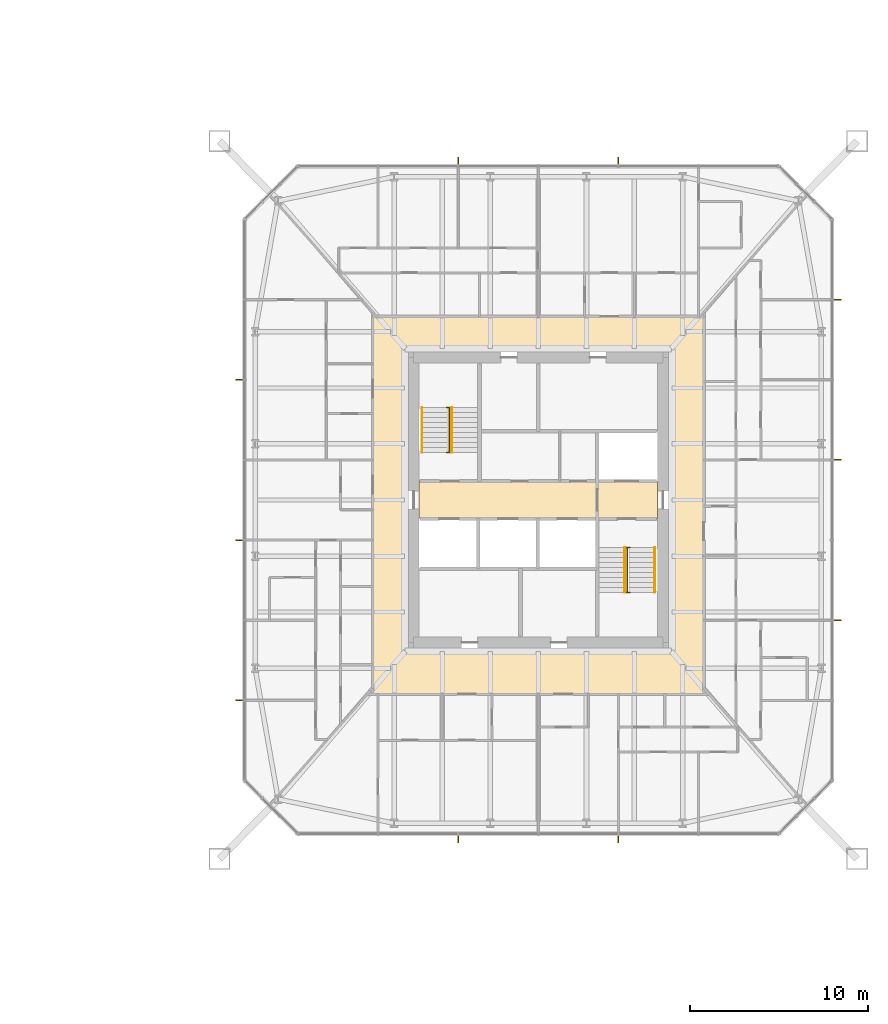
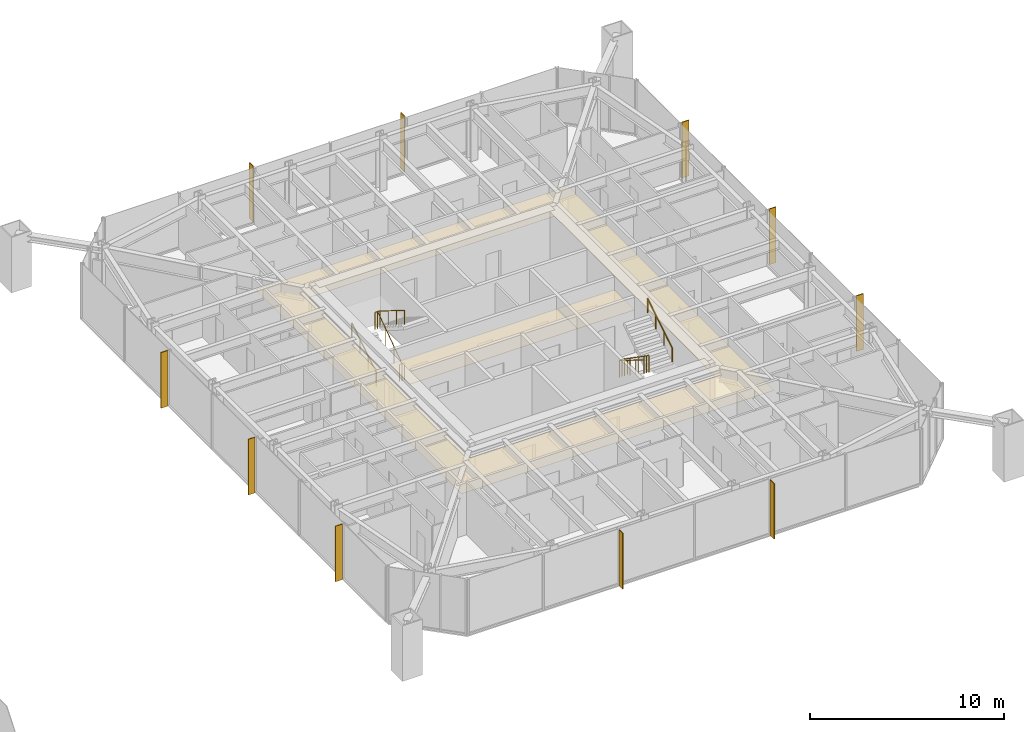
# One storey, part 26 of 26: 10 shading devices, 6 railings, 3 coverings.
"""IFC4 building model written with IfcOpenShell, lengths in metres."""

from ifc_helpers import new_model, si_unit, direction, frame, origin, origin_2d, place, context, subcontext, project, spatial, polyline, rectangle, circle, outline, extrude, material, layer, layer_set, constituent, constituent_set, type_object, element, save


model = new_model("IFC4")

# Units and contexts
model_context = context("Model", 3, precision=1e-05, world=origin(), true_north=direction((0.0, 1.0)))
body_context = subcontext(model_context, "Body", "Model", "MODEL_VIEW")
ifc_project = project(units=[si_unit("LENGTHUNIT", "METRE"), si_unit("AREAUNIT", "SQUARE_METRE"), si_unit("VOLUMEUNIT", "CUBIC_METRE"), si_unit("PLANEANGLEUNIT", "RADIAN"), si_unit("MASSUNIT", "GRAM", prefix="KILO")], contexts=[model_context])

# Site, building, storey
site_placement = place(None, origin())
site = spatial("IfcSite", under=ifc_project, at=site_placement, CompositionType="ELEMENT")
building_placement = place(site_placement, origin())
building = spatial("IfcBuilding", under=site, at=building_placement, Name="Iwan Alto Co-Living Towers", CompositionType="ELEMENT")
storey_placement = place(building_placement, frame((0.0, 0.0, 60.5)))
storey = spatial("IfcBuildingStorey", under=building, at=storey_placement, Name="L16", CompositionType="ELEMENT", Elevation=60.5)

# Coverings
ifc_material_1 = material(Name="Mineral fibre acoustic tiles on steel grid", Category="steel")
ifc_layer_1 = layer(ifc_material_1, 0.02001953125)
ifc_layer_set_1 = layer_set([ifc_layer_1], Name="ACOUSTIC TILE CEILING 20")
covering_type_1 = type_object("IfcCoveringType", Name="ACOUSTIC TILE CEILING 20", PredefinedType="CEILING", material=ifc_layer_set_1)
covering_1_placement = place(storey_placement, frame((0.0, 0.0, 2.60009765625)))
element("IfcCovering", 1, at=covering_1_placement, inside=storey, type_object=covering_type_1, Name="Ceiling Lift lobby L16", PredefinedType="CEILING", context=body_context, shape_type="SweptSolid", body=[
    extrude(outline(polyline([(56.300048828125, -1.050048828125), (56.300048828125, 1.050048828125), (66.300048828125, 1.050048828125), (66.300048828125, -1.050048828125), (56.300048828125, -1.050048828125)])), origin(), (0.0, 0.0, 1.0), 0.02001953125),
])
covering_2_placement = place(storey_placement, frame((0.0, 0.0, 2.60009765625)))
element("IfcCovering", 2, at=covering_2_placement, inside=storey, type_object=covering_type_1, Name="Ceiling Firefighting lobby L16", PredefinedType="CEILING", context=body_context, shape_type="SweptSolid", body=[
    extrude(outline(polyline([(66.300048828125, -1.050048828125), (66.300048828125, 1.050048828125), (69.699951171875, 1.050048828125), (69.699951171875, -1.050048828125), (66.300048828125, -1.050048828125)])), origin(), (0.0, 0.0, 1.0), 0.02001953125),
])

# Shading devices
ifc_material_2 = material(Name="Aluminium 6063-T6 bronze anodised", Category="aluminium")
ifc_layer_2 = layer(ifc_material_2, 0.050048828125)
ifc_layer_set_2 = layer_set([ifc_layer_2], Name="BRONZE FIN 50X400")
shading_device_type = type_object("IfcShadingDeviceType", Name="BRONZE FIN 50X400", PredefinedType="USERDEFINED", material=ifc_layer_set_2)
for number, where, z_axis, x_axis, name in (
    (3, (58.5, -19.050048828125, 0.0), (0.0, 0.0, 1.0), (1.0, 0.0, 0.0), "Bronze fin L16"),
    (4, (67.5, -19.050048828125, 0.0), (0.0, 0.0, 1.0), (1.0, 0.0, 0.0), "Bronze fin L16"),
    (5, (79.800048828125, -6.75, 0.0), (0.0, 0.0, 1.0), (0.0, 1.0, 0.0), "Bronze fin L16"),
    (6, (79.800048828125, 2.25, 0.0), (0.0, 0.0, 1.0), (0.0, 1.0, 0.0), "Bronze fin L16"),
    (7, (79.800048828125, 11.25, 0.0), (0.0, 0.0, 1.0), (0.0, 1.0, 0.0), "Bronze fin L16"),
    (8, (67.5, 19.050048828125, 0.0), (0.0, 0.0, 1.0), (-1.0, 0.0, 0.0), "Bronze fin L16"),
    (9, (58.5, 19.050048828125, 0.0), (0.0, 0.0, 1.0), (-1.0, 0.0, 0.0), "Bronze fin L16"),
    (10, (46.199951171875, 6.75, 0.0), (0.0, 0.0, 1.0), (0.0, -1.0, 0.0), "Bronze fin L16"),
    (11, (46.199951171875, -2.25, 0.0), (0.0, 0.0, 1.0), (0.0, -1.0, 0.0), "Bronze fin L16"),
    (12, (46.199951171875, -11.25, 0.0), (0.0, 0.0, 1.0), (0.0, -1.0, 0.0), "Bronze fin L16"),
):
    element("IfcShadingDevice", number, at=place(storey_placement, frame(where, z_axis=z_axis, x_axis=x_axis)), inside=storey, type_object=shading_device_type, Name=name, ObjectType="LOUVER", PredefinedType="USERDEFINED", context=body_context, shape_type="SweptSolid", body=[
        extrude(rectangle(XDim=0.050048828125, YDim=0.39990234375, at=origin_2d()), origin(), (0.0, 0.0, 1.0), 3.5),
    ])

# Railings
ifc_material_3 = material(Name="Steel ASTM A500 Gr C", Category="steel")
ifc_constituent_1 = constituent(ifc_material_3, Name="Rails and posts", Category="Framing")
ifc_material_4 = material(Name="Steel ASTM A36", Category="steel")
ifc_constituent_2 = constituent(ifc_material_4, Name="Bar infill", Category="Infill")
ifc_constituent_set = constituent_set(constituents=[ifc_constituent_1, ifc_constituent_2], Name="STAIR GUARD 1100")
railing_type_1 = type_object("IfcRailingType", Name="STAIR GUARD 1100", PredefinedType="GUARDRAIL", material=ifc_constituent_set)
railing_1_placement = place(storey_placement, frame((58.0, 2.669921875, 0.0)))
element("IfcRailing", 13, at=railing_1_placement, inside=storey, type_object=railing_type_1, Name="Stair T2-S1 well guard L16", PredefinedType="GUARDRAIL", context=body_context, shape_type="SweptSolid", body=[
    extrude(circle(Radius=0.02392578125, at=origin_2d()), frame((0.0, 0.0, 1.076171875), z_axis=(0.0, 0.821372036852, 0.570392826987), x_axis=(-1.0, 0.0, 0.0)), (0.0, 0.0, 1.0), 3.068115234375),
    extrude(circle(Radius=0.02392578125, at=origin_2d()), frame((-0.14990234375, 0.0, 1.076171875), z_axis=(1.0, 0.0, 0.0), x_axis=(0.0, 1.0, 0.0)), (0.0, 0.0, 1.0), 0.2998046875),
    extrude(circle(Radius=0.02392578125, at=origin_2d()), frame((-0.14990234375, 2.52001953125, 2.826171875), z_axis=(1.0, 0.0, 0.0), x_axis=(0.0, 1.0, 0.0)), (0.0, 0.0, 1.0), 0.2998046875),
    extrude(circle(Radius=0.02099609375, at=origin_2d()), origin(), (0.0, 0.0, 1.0), 1.052001953125),
    extrude(circle(Radius=0.02099609375, at=origin_2d()), frame((0.0, 0.840087890625, 0.583251953125)), (0.0, 0.0, 1.0), 1.052001953125),
    extrude(circle(Radius=0.02099609375, at=origin_2d()), frame((0.0, 1.679931640625, 1.166748046875)), (0.0, 0.0, 1.0), 1.052001953125),
    extrude(circle(Radius=0.02099609375, at=origin_2d()), frame((0.0, 2.52001953125, 1.75)), (0.0, 0.0, 1.0), 1.052001953125),
    extrude(circle(Radius=0.02099609375, at=origin_2d()), frame((-0.14990234375, 0.0, 0.0)), (0.0, 0.0, 1.0), 1.052001953125),
    extrude(circle(Radius=0.02099609375, at=origin_2d()), frame((0.14990234375, 0.0, 0.0)), (0.0, 0.0, 1.0), 1.052001953125),
    extrude(circle(Radius=0.02099609375, at=origin_2d()), frame((-0.14990234375, 2.52001953125, 1.75)), (0.0, 0.0, 1.0), 1.052001953125),
    extrude(circle(Radius=0.02099609375, at=origin_2d()), frame((0.14990234375, 2.52001953125, 1.75)), (0.0, 0.0, 1.0), 1.052001953125),
])
railing_2_placement = place(storey_placement, frame((68.0, -2.669921875, 0.0)))
element("IfcRailing", 14, at=railing_2_placement, inside=storey, type_object=railing_type_1, Name="Stair T2-S2 well guard L16", PredefinedType="GUARDRAIL", context=body_context, shape_type="SweptSolid", body=[
    extrude(circle(Radius=0.02392578125, at=origin_2d()), frame((0.0, 0.0, 1.076171875), z_axis=(0.0, -0.821372036852, 0.570392826987), x_axis=(1.0, 0.0, 0.0)), (0.0, 0.0, 1.0), 3.068115234375),
    extrude(circle(Radius=0.02392578125, at=origin_2d()), frame((-0.14990234375, 0.0, 1.076171875), z_axis=(1.0, 0.0, 0.0), x_axis=(0.0, 1.0, 0.0)), (0.0, 0.0, 1.0), 0.2998046875),
    extrude(circle(Radius=0.02392578125, at=origin_2d()), frame((-0.14990234375, -2.52001953125, 2.826171875), z_axis=(1.0, 0.0, 0.0), x_axis=(0.0, 1.0, 0.0)), (0.0, 0.0, 1.0), 0.2998046875),
    extrude(circle(Radius=0.02099609375, at=origin_2d()), origin(), (0.0, 0.0, 1.0), 1.052001953125),
    extrude(circle(Radius=0.02099609375, at=origin_2d()), frame((0.0, -0.840087890625, 0.583251953125)), (0.0, 0.0, 1.0), 1.052001953125),
    extrude(circle(Radius=0.02099609375, at=origin_2d()), frame((0.0, -1.679931640625, 1.166748046875)), (0.0, 0.0, 1.0), 1.052001953125),
    extrude(circle(Radius=0.02099609375, at=origin_2d()), frame((0.0, -2.52001953125, 1.75)), (0.0, 0.0, 1.0), 1.052001953125),
    extrude(circle(Radius=0.02099609375, at=origin_2d()), frame((-0.14990234375, 0.0, 0.0)), (0.0, 0.0, 1.0), 1.052001953125),
    extrude(circle(Radius=0.02099609375, at=origin_2d()), frame((0.14990234375, 0.0, 0.0)), (0.0, 0.0, 1.0), 1.052001953125),
    extrude(circle(Radius=0.02099609375, at=origin_2d()), frame((-0.14990234375, -2.52001953125, 1.75)), (0.0, 0.0, 1.0), 1.052001953125),
    extrude(circle(Radius=0.02099609375, at=origin_2d()), frame((0.14990234375, -2.52001953125, 1.75)), (0.0, 0.0, 1.0), 1.052001953125),
])
ifc_material_5 = material(Name="Steel ASTM A500 Gr C", Category="steel")
railing_type_2 = type_object("IfcRailingType", Name="STAIR HANDRAIL 900", PredefinedType="HANDRAIL", material=ifc_material_5)
railing_3_placement = place(storey_placement, frame((56.469970703125, 2.669921875, 0.175048828125)))
element("IfcRailing", 15, at=railing_3_placement, inside=storey, type_object=railing_type_2, Name="Stair T2-S1 handrail 1 L16", PredefinedType="HANDRAIL", context=body_context, shape_type="SweptSolid", body=[
    extrude(circle(Radius=0.02392578125, at=origin_2d()), frame((0.0, 0.0, 0.8759765625), z_axis=(0.0, 0.848007534815, 0.529984170421), x_axis=(-1.0, 0.0, 0.0)), (0.0, 0.0, 1.0), 2.9716796875),
    extrude(circle(Radius=0.02099609375, at=origin_2d()), origin(), (0.0, 0.0, 1.0), 0.851806640625),
    extrude(circle(Radius=0.02099609375, at=origin_2d()), frame((0.0, 0.840087890625, 0.52490234375)), (0.0, 0.0, 1.0), 0.851806640625),
    extrude(circle(Radius=0.02099609375, at=origin_2d()), frame((0.0, 1.679931640625, 1.050048828125)), (0.0, 0.0, 1.0), 0.851806640625),
    extrude(circle(Radius=0.02099609375, at=origin_2d()), frame((0.0, 2.52001953125, 1.574951171875)), (0.0, 0.0, 1.0), 0.851806640625),
])
for number, where, name in (
    (16, (58.14990234375, 5.18994140625, 1.925048828125), "Stair T2-S1 handrail 2 L16"),
    (17, (67.85009765625, -2.669921875, 0.175048828125), "Stair T2-S2 handrail 1 L16"),
):
    element("IfcRailing", number, at=place(storey_placement, frame(where)), inside=storey, type_object=railing_type_2, Name=name, PredefinedType="HANDRAIL", context=body_context, shape_type="SweptSolid", body=[
        extrude(circle(Radius=0.02392578125, at=origin_2d()), frame((0.0, 0.0, 0.8759765625), z_axis=(0.0, -0.848007534815, 0.529984170421), x_axis=(1.0, 0.0, 0.0)), (0.0, 0.0, 1.0), 2.9716796875),
        extrude(circle(Radius=0.02099609375, at=origin_2d()), origin(), (0.0, 0.0, 1.0), 0.851806640625),
        extrude(circle(Radius=0.02099609375, at=origin_2d()), frame((0.0, -0.840087890625, 0.52490234375)), (0.0, 0.0, 1.0), 0.851806640625),
        extrude(circle(Radius=0.02099609375, at=origin_2d()), frame((0.0, -1.679931640625, 1.050048828125)), (0.0, 0.0, 1.0), 0.851806640625),
        extrude(circle(Radius=0.02099609375, at=origin_2d()), frame((0.0, -2.52001953125, 1.574951171875)), (0.0, 0.0, 1.0), 0.851806640625),
    ])
railing_4_placement = place(storey_placement, frame((69.530029296875, -5.18994140625, 1.925048828125)))
element("IfcRailing", 18, at=railing_4_placement, inside=storey, type_object=railing_type_2, Name="Stair T2-S2 handrail 2 L16", PredefinedType="HANDRAIL", context=body_context, shape_type="SweptSolid", body=[
    extrude(circle(Radius=0.02392578125, at=origin_2d()), frame((0.0, 0.0, 0.8759765625), z_axis=(0.0, 0.848007534815, 0.529984170421), x_axis=(-1.0, 0.0, 0.0)), (0.0, 0.0, 1.0), 2.9716796875),
    extrude(circle(Radius=0.02099609375, at=origin_2d()), origin(), (0.0, 0.0, 1.0), 0.851806640625),
    extrude(circle(Radius=0.02099609375, at=origin_2d()), frame((0.0, 0.840087890625, 0.52490234375)), (0.0, 0.0, 1.0), 0.851806640625),
    extrude(circle(Radius=0.02099609375, at=origin_2d()), frame((0.0, 1.679931640625, 1.050048828125)), (0.0, 0.0, 1.0), 0.851806640625),
    extrude(circle(Radius=0.02099609375, at=origin_2d()), frame((0.0, 2.52001953125, 1.574951171875)), (0.0, 0.0, 1.0), 0.851806640625),
])

# Covering
ifc_material_6 = material(Name="Gypsum plasterboard on steel grid", Category="steel")
ifc_layer_3 = layer(ifc_material_6, 0.014892578125)
ifc_layer_set_3 = layer_set([ifc_layer_3], Name="SUSPENDED PLASTERBOARD CEILING 15")
covering_type_2 = type_object("IfcCoveringType", Name="SUSPENDED PLASTERBOARD CEILING 15", PredefinedType="CEILING", material=ifc_layer_set_3)
covering_3_placement = place(storey_placement, frame((0.0, 0.0, 2.60009765625)))
element("IfcCovering", 19, at=covering_3_placement, inside=storey, type_object=covering_type_2, Name="Ceiling Corridor L16", PredefinedType="CEILING", context=body_context, shape_type="SweptSolid", body=[
    extrude(outline(polyline([(53.699951171875, 10.300048828125), (72.300048828125, 10.300048828125), (72.300048828125, -10.89990234375), (53.699951171875, -10.89990234375), (53.699951171875, 10.300048828125)]), holes=[polyline([(55.699951171875, 8.300048828125), (55.699951171875, -8.300048828125), (70.300048828125, -8.300048828125), (70.300048828125, 8.300048828125), (55.699951171875, 8.300048828125)])]), origin(), (0.0, 0.0, 1.0), 0.014892578125),
])

save(model, "model.ifc")
